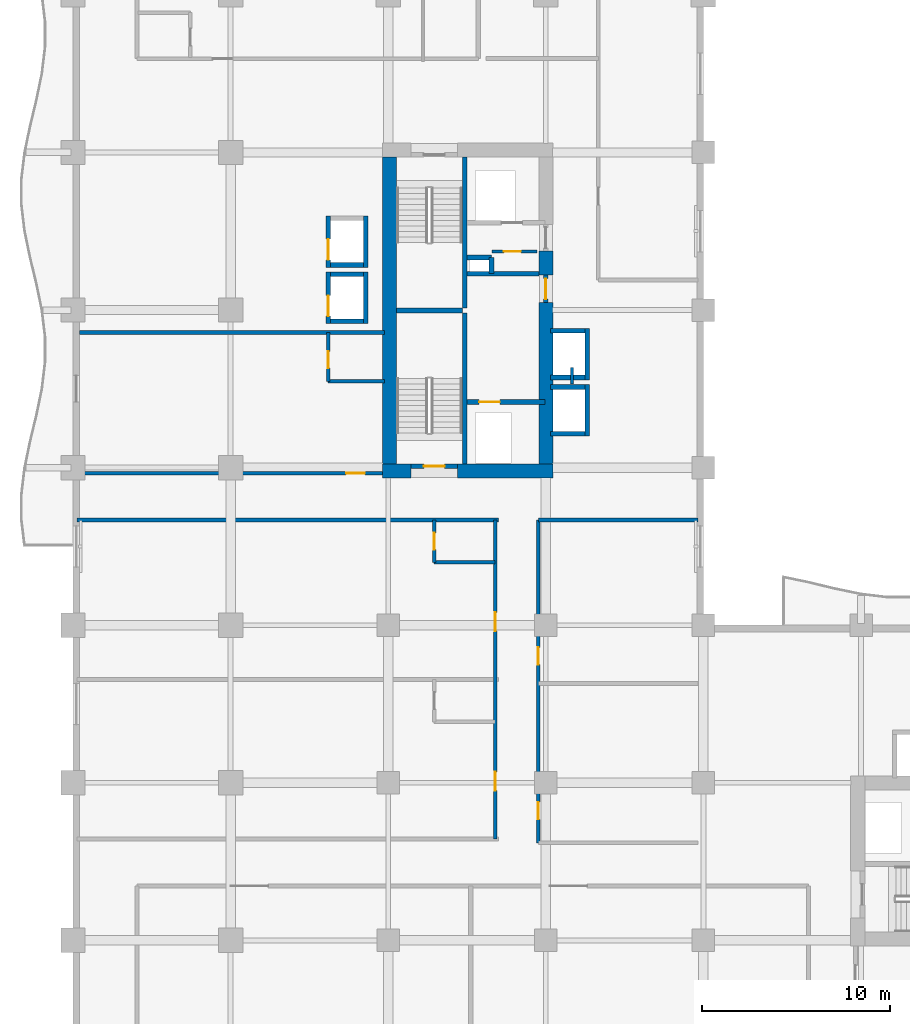
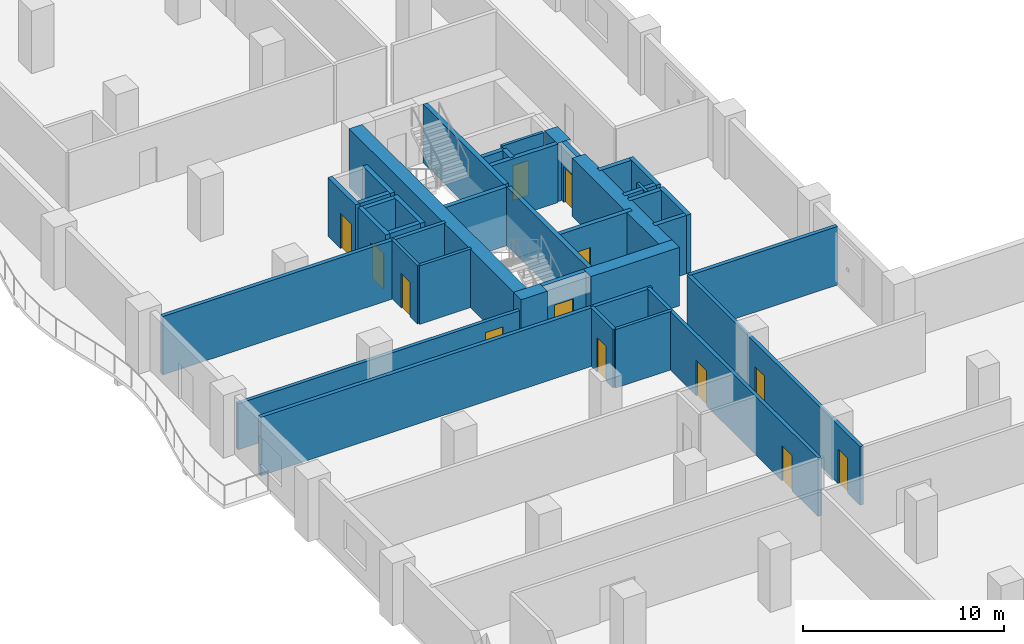
# One storey, part 6 of 15: 39 walls, 13 doors, 13 openings.
"""IFC4 building model written with IfcOpenShell, lengths in metres."""

from ifc_helpers import new_model, si_unit, direction, frame, frame_2d, origin, place, context, subcontext, project, spatial, rectangle, extrude, material, layer, layer_set, type_object, element, fill, save


model = new_model("IFC4")

# Units and contexts
model_context = context("Model", 3, precision=1e-05, world=origin(), true_north=direction((0.0, 1.0)))
body_context = subcontext(model_context, "Body", "Model", "MODEL_VIEW")
ifc_project = project(units=[si_unit("LENGTHUNIT", "METRE"), si_unit("AREAUNIT", "SQUARE_METRE"), si_unit("VOLUMEUNIT", "CUBIC_METRE"), si_unit("PLANEANGLEUNIT", "RADIAN"), si_unit("MASSUNIT", "GRAM", prefix="KILO")], contexts=[model_context])

# Site, building, storey
site_placement = place(None, origin())
site = spatial("IfcSite", under=ifc_project, at=site_placement, CompositionType="ELEMENT")
building_placement = place(site_placement, origin())
building = spatial("IfcBuilding", under=site, at=building_placement, Name="Koriwani Terraces Tower", CompositionType="ELEMENT")
storey_placement = place(building_placement, frame((0.0, 0.0, 138.0)))
storey = spatial("IfcBuildingStorey", under=building, at=storey_placement, Name="L33", CompositionType="ELEMENT", Elevation=138.0)

# Walls
ifc_material_1 = material(Name="Concrete C60/75", Category="concrete")
ifc_layer_1 = layer(ifc_material_1, 0.75, Name="Concrete C60/75")
ifc_layer_set_1 = layer_set([ifc_layer_1], Name="Concrete C60/75")
wall_type_1 = type_object("IfcWallType", Name="WALL_CORE_RC_750", PredefinedType="SHEAR", material=ifc_layer_set_1)
wall_1_placement = place(storey_placement, frame((16.5, 41.824951171875, 0.0), z_axis=(0.0, 0.0, 1.0), x_axis=(1.0, 0.0, 0.0)))
element("IfcWall", 1, at=wall_1_placement, inside=storey, type_object=wall_type_1, Name="L33 West Split Core Shear Wall S1", PredefinedType="SHEAR", context=body_context, shape_type="SweptSolid", body=[
    extrude(rectangle(XDim=1.5, YDim=0.75, at=frame_2d((0.75, 0.0))), origin(), (0.0, 0.0, 1.0), 3.550048828125),
])
wall_2_placement = place(storey_placement, frame((20.5, 41.824951171875, 0.0), z_axis=(0.0, 0.0, 1.0), x_axis=(1.0, 0.0, 0.0)))
element("IfcWall", 2, at=wall_2_placement, inside=storey, type_object=wall_type_1, Name="L33 West Split Core Shear Wall S2", PredefinedType="SHEAR", context=body_context, shape_type="SweptSolid", body=[
    extrude(rectangle(XDim=5.074951171875, YDim=0.75, at=frame_2d((2.53759765625, 0.0))), origin(), (0.0, 0.0, 1.0), 3.550048828125),
])
wall_3_placement = place(storey_placement, frame((16.875, 42.199951171875, 0.0), z_axis=(0.0, 0.0, 1.0), x_axis=(0.0, 1.0, 0.0)))
element("IfcWall", 3, at=wall_3_placement, inside=storey, type_object=wall_type_1, Name="L33 West Split Core Shear Wall W1", PredefinedType="SHEAR", context=body_context, shape_type="SweptSolid", body=[
    extrude(rectangle(XDim=16.35009765625, YDim=0.75, at=frame_2d((8.175048828125, 0.0))), origin(), (0.0, 0.0, 1.0), 3.550048828125),
])
wall_4_placement = place(storey_placement, frame((25.199951171875, 42.199951171875, 0.0), z_axis=(0.0, 0.0, 1.0), x_axis=(0.0, 1.0, 0.0)))
element("IfcWall", 4, at=wall_4_placement, inside=storey, type_object=wall_type_1, Name="L33 West Split Core Shear Wall E1", PredefinedType="SHEAR", context=body_context, shape_type="SweptSolid", body=[
    extrude(rectangle(XDim=8.60009765625, YDim=0.75, at=frame_2d((4.300048828125, 0.0))), origin(), (0.0, 0.0, 1.0), 3.550048828125),
])
wall_5_placement = place(storey_placement, frame((25.199951171875, 52.280029296875, 0.0), z_axis=(0.0, 0.0, 1.0), x_axis=(0.0, 1.0, 0.0)))
element("IfcWall", 5, at=wall_5_placement, inside=storey, type_object=wall_type_1, Name="L33 West Split Core Shear Wall E2", PredefinedType="SHEAR", context=body_context, shape_type="SweptSolid", body=[
    extrude(rectangle(XDim=1.27001953125, YDim=0.75, at=frame_2d((0.635009765625, 0.0))), origin(), (0.0, 0.0, 1.0), 3.550048828125),
])

# Wall, opening, door
ifc_material_2 = material(Name="Autoclaved Cellular Concrete Blockwork", Category="masonry")
ifc_layer_2 = layer(ifc_material_2, 0.199951171875, Name="Autoclaved Cellular Concrete Blockwork")
ifc_layer_set_2 = layer_set([ifc_layer_2], Name="Autoclaved Cellular Concrete Blockwork")
wall_type_2 = type_object("IfcWallType", Name="WALL_CORRIDOR_200", PredefinedType="PARTITIONING", material=ifc_layer_set_2)
wall_6_placement = place(storey_placement, frame((0.35009765625, 41.699951171875, 0.0), z_axis=(0.0, 0.0, 1.0), x_axis=(1.0, 0.0, 0.0)))
wall_6 = element("IfcWall", 6, at=wall_6_placement, inside=storey, type_object=wall_type_2, Name="L33 Interior Wall WREC-WS-L33", PredefinedType="PARTITIONING", context=body_context, shape_type="SweptSolid", body=[
    extrude(rectangle(XDim=16.25, YDim=0.199951171875, at=frame_2d((8.125, 0.0))), origin(), (0.0, 0.0, 1.0), 2.800048828125),
])
opening_1_placement = place(wall_6_placement, frame((14.199951171875, 0.0, 0.0)))
opening_1 = element("IfcOpeningElement", 7, at=opening_1_placement, cuts=wall_6, Name="Opening D-05", PredefinedType="OPENING", context=body_context, shape_type="SweptSolid", body=[
    extrude(rectangle(XDim=1.0, YDim=2.14990234375, at=frame_2d((0.5, 1.074951171875))), frame((0.0, 0.10986328125, 0.0), z_axis=(0.0, -1.0, 0.0), x_axis=(1.0, 0.0, 0.0)), (0.0, 0.0, 1.0), 0.219970703125),
])
ifc_material_3 = material(Name="Architectural Oak Fire Door", Category="wood")
door_type_1 = type_object("IfcDoorType", Name="DOOR_SUITE_ENTRY_1000X2150", OperationType="NOTDEFINED", PredefinedType="DOOR", material=ifc_material_3)
door_1_placement = place(opening_1_placement, origin())
door_1 = element("IfcDoor", 8, at=door_1_placement, inside=storey, type_object=door_type_1, Name="L33 Reclaimed West Suite Door", OperationType="SINGLE_SWING_LEFT", OverallHeight=2.14990234375, OverallWidth=1.0, PredefinedType="DOOR", context=body_context, shape_type="SweptSolid", body=[
    extrude(rectangle(XDim=1.0, YDim=2.14990234375, at=frame_2d((0.5, 1.074951171875))), frame((0.0, 0.02490234375, 0.0), z_axis=(0.0, -1.0, 0.0), x_axis=(1.0, 0.0, 0.0)), (0.0, 0.0, 1.0), 0.050048828125),
])
fill(opening_1, door_1)

# Wall, openings, doors
wall_7_placement = place(storey_placement, frame((24.800048828125, 22.0, 0.0), z_axis=(0.0, 0.0, 1.0), x_axis=(0.0, 1.0, 0.0)))
wall_7 = element("IfcWall", 9, at=wall_7_placement, inside=storey, type_object=wall_type_2, Name="L33 Interior Wall WIC2-W-L33", PredefinedType="PARTITIONING", context=body_context, shape_type="SweptSolid", body=[
    extrude(rectangle(XDim=17.199951171875, YDim=0.199951171875, at=frame_2d((8.60009765625, 0.0))), origin(), (0.0, 0.0, 1.0), 3.550048828125),
])
opening_2_placement = place(wall_7_placement, frame((1.25, 0.0, 0.0)))
opening_2 = element("IfcOpeningElement", 10, at=opening_2_placement, cuts=wall_7, Name="Opening D-06", PredefinedType="OPENING", context=body_context, shape_type="SweptSolid", body=[
    extrude(rectangle(XDim=0.919921875, YDim=2.10009765625, at=frame_2d((0.4599609375, 1.050048828125))), frame((0.0, 0.10986328125, 0.0), z_axis=(0.0, -1.0, 0.0), x_axis=(1.0, 0.0, 0.0)), (0.0, 0.0, 1.0), 0.219970703125),
])
opening_3_placement = place(wall_7_placement, frame((9.5, 0.0, 0.0)))
opening_3 = element("IfcOpeningElement", 11, at=opening_3_placement, cuts=wall_7, Name="Opening D-06", PredefinedType="OPENING", context=body_context, shape_type="SweptSolid", body=[
    extrude(rectangle(XDim=0.919921875, YDim=2.10009765625, at=frame_2d((0.4599609375, 1.050048828125))), frame((0.0, 0.10986328125, 0.0), z_axis=(0.0, -1.0, 0.0), x_axis=(1.0, 0.0, 0.0)), (0.0, 0.0, 1.0), 0.219970703125),
])
door_type_2 = type_object("IfcDoorType", Name="DOOR_ROOM_INT_920X2100", OperationType="NOTDEFINED", PredefinedType="DOOR", material=ifc_material_3)
door_2_placement = place(opening_2_placement, origin())
door_2 = element("IfcDoor", 12, at=door_2_placement, inside=storey, type_object=door_type_2, Name="L33 Inner Court Salon Door", OperationType="SINGLE_SWING_LEFT", OverallHeight=2.10009765625, OverallWidth=0.919921875, PredefinedType="DOOR", context=body_context, shape_type="SweptSolid", body=[
    extrude(rectangle(XDim=0.919921875, YDim=2.10009765625, at=frame_2d((0.4599609375, 1.050048828125))), frame((0.0, 0.02490234375, 0.0), z_axis=(0.0, -1.0, 0.0), x_axis=(1.0, 0.0, 0.0)), (0.0, 0.0, 1.0), 0.050048828125),
])
fill(opening_2, door_2)
door_3_placement = place(opening_3_placement, origin())
door_3 = element("IfcDoor", 13, at=door_3_placement, inside=storey, type_object=door_type_2, Name="L33 Inner Court Media Room Door", OperationType="SINGLE_SWING_RIGHT", OverallHeight=2.10009765625, OverallWidth=0.919921875, PredefinedType="DOOR", context=body_context, shape_type="SweptSolid", body=[
    extrude(rectangle(XDim=0.919921875, YDim=2.10009765625, at=frame_2d((0.4599609375, 1.050048828125))), frame((0.0, 0.02490234375, 0.0), z_axis=(0.0, -1.0, 0.0), x_axis=(1.0, 0.0, 0.0)), (0.0, 0.0, 1.0), 0.050048828125),
])
fill(opening_3, door_3)

wall_8_placement = place(storey_placement, frame((22.5, 22.199951171875, 0.0), z_axis=(0.0, 0.0, 1.0), x_axis=(0.0, 1.0, 0.0)))
wall_8 = element("IfcWall", 14, at=wall_8_placement, inside=storey, type_object=wall_type_2, Name="L33 Interior Wall WCOR-L33-NW-0", PredefinedType="PARTITIONING", context=body_context, shape_type="SweptSolid", body=[
    extrude(rectangle(XDim=17.0, YDim=0.199951171875, at=frame_2d((8.5, 0.0))), origin(), (0.0, 0.0, 1.0), 3.550048828125),
])
opening_4_placement = place(wall_8_placement, frame((2.5849609375, 0.0, 0.0)))
opening_4 = element("IfcOpeningElement", 15, at=opening_4_placement, cuts=wall_8, Name="Opening D-05", PredefinedType="OPENING", context=body_context, shape_type="SweptSolid", body=[
    extrude(rectangle(XDim=1.0, YDim=2.14990234375, at=frame_2d((0.5, 1.074951171875))), frame((0.0, 0.10986328125, 0.0), z_axis=(0.0, -1.0, 0.0), x_axis=(1.0, 0.0, 0.0)), (0.0, 0.0, 1.0), 0.219970703125),
])
opening_5_placement = place(wall_8_placement, frame((11.0849609375, 0.0, 0.0)))
opening_5 = element("IfcOpeningElement", 16, at=opening_5_placement, cuts=wall_8, Name="Opening D-05", PredefinedType="OPENING", context=body_context, shape_type="SweptSolid", body=[
    extrude(rectangle(XDim=1.0, YDim=2.14990234375, at=frame_2d((0.5, 1.074951171875))), frame((0.0, 0.10986328125, 0.0), z_axis=(0.0, -1.0, 0.0), x_axis=(1.0, 0.0, 0.0)), (0.0, 0.0, 1.0), 0.219970703125),
])
door_4_placement = place(opening_4_placement, origin())
door_4 = element("IfcDoor", 17, at=door_4_placement, inside=storey, type_object=door_type_1, Name="Luxury Hotel Suite 33NW1 Entrance Door", OperationType="SINGLE_SWING_LEFT", OverallHeight=2.14990234375, OverallWidth=1.0, PredefinedType="DOOR", context=body_context, shape_type="SweptSolid", body=[
    extrude(rectangle(XDim=1.0, YDim=2.14990234375, at=frame_2d((0.5, 1.074951171875))), frame((0.0, 0.02490234375, 0.0), z_axis=(0.0, -1.0, 0.0), x_axis=(1.0, 0.0, 0.0)), (0.0, 0.0, 1.0), 0.050048828125),
])
fill(opening_4, door_4)
door_5_placement = place(opening_5_placement, origin())
door_5 = element("IfcDoor", 18, at=door_5_placement, inside=storey, type_object=door_type_1, Name="Luxury Hotel Suite 33NW2 Entrance Door", OperationType="SINGLE_SWING_LEFT", OverallHeight=2.14990234375, OverallWidth=1.0, PredefinedType="DOOR", context=body_context, shape_type="SweptSolid", body=[
    extrude(rectangle(XDim=1.0, YDim=2.14990234375, at=frame_2d((0.5, 1.074951171875))), frame((0.0, 0.02490234375, 0.0), z_axis=(0.0, -1.0, 0.0), x_axis=(1.0, 0.0, 0.0)), (0.0, 0.0, 1.0), 0.050048828125),
])
fill(opening_5, door_5)

# Walls
ifc_layer_3 = layer(ifc_material_2, 0.219970703125, Name="Autoclaved Cellular Concrete Blockwork")
ifc_layer_set_3 = layer_set([ifc_layer_3], Name="Autoclaved Cellular Concrete Blockwork")
wall_type_3 = type_object("IfcWallType", Name="WALL_DEMISING_220", PredefinedType="PARTITIONING", material=ifc_layer_set_3)
wall_9_placement = place(storey_placement, frame((0.35009765625, 49.199951171875, 0.0), z_axis=(0.0, 0.0, 1.0), x_axis=(1.0, 0.0, 0.0)))
element("IfcWall", 19, at=wall_9_placement, inside=storey, type_object=wall_type_3, Name="L33 Interior Wall WREC-WN-L33", PredefinedType="PARTITIONING", context=body_context, shape_type="SweptSolid", body=[
    extrude(rectangle(XDim=16.25, YDim=0.219970703125, at=frame_2d((8.125, 0.0))), origin(), (0.0, 0.0, 1.0), 3.550048828125),
])
wall_10_placement = place(storey_placement, frame((24.800048828125, 39.199951171875, 0.0), z_axis=(0.0, 0.0, 1.0), x_axis=(1.0, 0.0, 0.0)))
element("IfcWall", 20, at=wall_10_placement, inside=storey, type_object=wall_type_3, Name="L33 Interior Wall WIC2-N-L33", PredefinedType="PARTITIONING", context=body_context, shape_type="SweptSolid", body=[
    extrude(rectangle(XDim=8.5, YDim=0.219970703125, at=frame_2d((4.25, 0.0))), origin(), (0.0, 0.0, 1.0), 3.550048828125),
])
wall_11_placement = place(storey_placement, frame((0.199951171875, 39.199951171875, 0.0), z_axis=(0.0, 0.0, 1.0), x_axis=(1.0, 0.0, 0.0)))
element("IfcWall", 21, at=wall_11_placement, inside=storey, type_object=wall_type_3, Name="L33 Interior Wall WDEME-L33-NW", PredefinedType="PARTITIONING", context=body_context, shape_type="SweptSolid", body=[
    extrude(rectangle(XDim=22.47998046875, YDim=0.219970703125, at=frame_2d((11.239990234375, 0.0))), origin(), (0.0, 0.0, 1.0), 3.550048828125),
])
ifc_material_4 = material(Name="Fire-Rated Acoustic Gypsum Partition", Category="masonry")
ifc_layer_4 = layer(ifc_material_4, 0.179931640625, Name="Fire-Rated Acoustic Gypsum Partition")
ifc_layer_set_4 = layer_set([ifc_layer_4], Name="Fire-Rated Acoustic Gypsum Partition")
wall_type_4 = type_object("IfcWallType", Name="WALL_PLUMBING_180", PredefinedType="PLUMBINGWALL", material=ifc_layer_set_4)
wall_12_placement = place(storey_placement, frame((13.60009765625, 46.60009765625, 0.0), z_axis=(0.0, 0.0, 1.0), x_axis=(1.0, 0.0, 0.0)))
element("IfcWall", 22, at=wall_12_placement, inside=storey, type_object=wall_type_4, Name="L33 Interior Wall WREC-WB1-L33", PredefinedType="PLUMBINGWALL", context=body_context, shape_type="SweptSolid", body=[
    extrude(rectangle(XDim=3.0, YDim=0.179931640625, at=frame_2d((1.5, 0.0))), origin(), (0.0, 0.0, 1.0), 3.550048828125),
])

# Wall, opening, door
wall_13_placement = place(storey_placement, frame((13.60009765625, 46.60009765625, 0.0), z_axis=(0.0, 0.0, 1.0), x_axis=(0.0, 1.0, 0.0)))
wall_13 = element("IfcWall", 23, at=wall_13_placement, inside=storey, type_object=wall_type_4, Name="L33 Interior Wall WREC-WB2-L33", PredefinedType="PLUMBINGWALL", context=body_context, shape_type="SweptSolid", body=[
    extrude(rectangle(XDim=2.599853515625, YDim=0.179931640625, at=frame_2d((1.2998046875, 0.0))), origin(), (0.0, 0.0, 1.0), 3.550048828125),
])
opening_6_placement = place(wall_13_placement, frame((0.699951171875, 0.0, 0.0)))
opening_6 = element("IfcOpeningElement", 24, at=opening_6_placement, cuts=wall_13, Name="Opening D-07", PredefinedType="OPENING", context=body_context, shape_type="SweptSolid", body=[
    extrude(rectangle(XDim=0.89990234375, YDim=2.10009765625, at=frame_2d((0.449951171875, 1.050048828125))), frame((0.0, 0.10009765625, 0.0), z_axis=(0.0, -1.0, 0.0), x_axis=(1.0, 0.0, 0.0)), (0.0, 0.0, 1.0), 0.199951171875),
])
door_type_3 = type_object("IfcDoorType", Name="DOOR_BATH_INT_900X2100", OperationType="NOTDEFINED", PredefinedType="DOOR", material=ifc_material_3)
door_6_placement = place(opening_6_placement, origin())
door_6 = element("IfcDoor", 25, at=door_6_placement, inside=storey, type_object=door_type_3, Name="L33 Reclaimed Suite En-Suite Door", OperationType="SINGLE_SWING_RIGHT", OverallHeight=2.10009765625, OverallWidth=0.89990234375, PredefinedType="DOOR", context=body_context, shape_type="SweptSolid", body=[
    extrude(rectangle(XDim=0.89990234375, YDim=2.10009765625, at=frame_2d((0.449951171875, 1.050048828125))), frame((0.0, 0.02490234375, 0.0), z_axis=(0.0, -1.0, 0.0), x_axis=(1.0, 0.0, 0.0)), (0.0, 0.0, 1.0), 0.050048828125),
])
fill(opening_6, door_6)

wall_14_placement = place(storey_placement, frame((19.25, 36.949951171875, 0.0), z_axis=(0.0, 0.0, 1.0), x_axis=(0.0, 1.0, 0.0)))
wall_14 = element("IfcWall", 26, at=wall_14_placement, inside=storey, type_object=wall_type_4, Name="L33 Interior Wall WBTH1-L33-NW-1", PredefinedType="PLUMBINGWALL", context=body_context, shape_type="SweptSolid", body=[
    extrude(rectangle(XDim=2.25, YDim=0.179931640625, at=frame_2d((1.125, 0.0))), origin(), (0.0, 0.0, 1.0), 3.550048828125),
])
opening_7_placement = place(wall_14_placement, frame((0.675048828125, 0.0, 0.0)))
opening_7 = element("IfcOpeningElement", 27, at=opening_7_placement, cuts=wall_14, Name="Opening D-07", PredefinedType="OPENING", context=body_context, shape_type="SweptSolid", body=[
    extrude(rectangle(XDim=0.89990234375, YDim=2.10009765625, at=frame_2d((0.449951171875, 1.050048828125))), frame((0.0, 0.10009765625, 0.0), z_axis=(0.0, -1.0, 0.0), x_axis=(1.0, 0.0, 0.0)), (0.0, 0.0, 1.0), 0.199951171875),
])
door_7_placement = place(opening_7_placement, origin())
door_7 = element("IfcDoor", 28, at=door_7_placement, inside=storey, type_object=door_type_3, Name="En-Suite Bathroom 33NW2 Door", OperationType="SINGLE_SWING_RIGHT", OverallHeight=2.10009765625, OverallWidth=0.89990234375, PredefinedType="DOOR", context=body_context, shape_type="SweptSolid", body=[
    extrude(rectangle(XDim=0.89990234375, YDim=2.10009765625, at=frame_2d((0.449951171875, 1.050048828125))), frame((0.0, 0.02490234375, 0.0), z_axis=(0.0, -1.0, 0.0), x_axis=(1.0, 0.0, 0.0)), (0.0, 0.0, 1.0), 0.050048828125),
])
fill(opening_7, door_7)

# Walls
wall_15_placement = place(storey_placement, frame((19.25, 36.949951171875, 0.0), z_axis=(0.0, 0.0, 1.0), x_axis=(1.0, 0.0, 0.0)))
element("IfcWall", 29, at=wall_15_placement, inside=storey, type_object=wall_type_4, Name="L33 Interior Wall WBTH2-L33-NW-1", PredefinedType="PLUMBINGWALL", context=body_context, shape_type="SweptSolid", body=[
    extrude(rectangle(XDim=3.25, YDim=0.179931640625, at=frame_2d((1.625, 0.0))), origin(), (0.0, 0.0, 1.0), 3.550048828125),
])
ifc_material_5 = material(Name="Concrete C40/50", Category="concrete")
ifc_layer_5 = layer(ifc_material_5, 0.25, Name="Concrete C40/50")
ifc_layer_set_5 = layer_set([ifc_layer_5], Name="Concrete C40/50")
wall_type_5 = type_object("IfcWallType", Name="WALL_SHAFT_RATED_250", PredefinedType="SOLIDWALL", material=ifc_layer_set_5)
for number, where, z_axis, x_axis, name in (
    (30, (20.875, 42.199951171875, 0.0), (0.0, 0.0, 1.0), (0.0, 1.0, 0.0), "L33 West Split Core Web Wall MID1"),
    (31, (20.875, 50.5, 0.0), (0.0, 0.0, 1.0), (0.0, 1.0, 0.0), "L33 West Split Core Web Wall MID2"),
):
    element("IfcWall", number, at=place(storey_placement, frame(where, z_axis=z_axis, x_axis=x_axis)), inside=storey, type_object=wall_type_5, Name=name, PredefinedType="SOLIDWALL", context=body_context, shape_type="SweptSolid", body=[
        extrude(rectangle(XDim=8.050048828125, YDim=0.25, at=frame_2d((4.02490234375, 0.0))), origin(), (0.0, 0.0, 1.0), 3.550048828125),
    ])
wall_16_placement = place(storey_placement, frame((17.25, 50.375, 0.0), z_axis=(0.0, 0.0, 1.0), x_axis=(1.0, 0.0, 0.0)))
element("IfcWall", 32, at=wall_16_placement, inside=storey, type_object=wall_type_5, Name="L33 West Split Core Stair Dividing Wall", PredefinedType="SOLIDWALL", context=body_context, shape_type="SweptSolid", body=[
    extrude(rectangle(XDim=3.5, YDim=0.25, at=frame_2d((1.75, 0.0))), origin(), (0.0, 0.0, 1.0), 3.550048828125),
])

# Wall, opening, door
wall_17_placement = place(storey_placement, frame((18.0, 42.074951171875, 0.0), z_axis=(0.0, 0.0, 1.0), x_axis=(1.0, 0.0, 0.0)))
wall_17 = element("IfcWall", 33, at=wall_17_placement, inside=storey, type_object=wall_type_5, Name="L33 Interior Wall WIN-CW-L33-STS", PredefinedType="SOLIDWALL", context=body_context, shape_type="SweptSolid", body=[
    extrude(rectangle(XDim=2.5, YDim=0.25, at=frame_2d((1.25, 0.0))), origin(), (0.0, 0.0, 1.0), 3.550048828125),
])
opening_8_placement = place(wall_17_placement, frame((0.699951171875, 0.0, 0.0)))
opening_8 = element("IfcOpeningElement", 34, at=opening_8_placement, cuts=wall_17, Name="Opening D-03", PredefinedType="OPENING", context=body_context, shape_type="SweptSolid", body=[
    extrude(rectangle(XDim=1.10009765625, YDim=2.14990234375, at=frame_2d((0.550048828125, 1.074951171875))), frame((0.0, 0.135009765625, 0.0), z_axis=(0.0, -1.0, 0.0), x_axis=(1.0, 0.0, 0.0)), (0.0, 0.0, 1.0), 0.27001953125),
])
ifc_material_6 = material(Name="Steel ASTM A572 Grade 50", Category="steel")
door_type_4 = type_object("IfcDoorType", Name="DOOR_STAIR_FIRE_1100X2150", OperationType="NOTDEFINED", PredefinedType="DOOR", material=ifc_material_6)
door_8_placement = place(opening_8_placement, origin())
door_8 = element("IfcDoor", 35, at=door_8_placement, inside=storey, type_object=door_type_4, Name="L33 Exit Stair ST-W1 Door", OperationType="SINGLE_SWING_LEFT", OverallHeight=2.14990234375, OverallWidth=1.10009765625, PredefinedType="DOOR", context=body_context, shape_type="SweptSolid", body=[
    extrude(rectangle(XDim=1.10009765625, YDim=2.14990234375, at=frame_2d((0.550048828125, 1.074951171875))), frame((0.0, 0.02490234375, 0.0), z_axis=(0.0, -1.0, 0.0), x_axis=(1.0, 0.0, 0.0)), (0.0, 0.0, 1.0), 0.050048828125),
])
fill(opening_8, door_8)

wall_18_placement = place(storey_placement, frame((21.0, 45.5, 0.0), z_axis=(0.0, 0.0, 1.0), x_axis=(1.0, 0.0, 0.0)))
wall_18 = element("IfcWall", 36, at=wall_18_placement, inside=storey, type_object=wall_type_5, Name="L33 Interior Wall WIN-CW-L33-FE", PredefinedType="SOLIDWALL", context=body_context, shape_type="SweptSolid", body=[
    extrude(rectangle(XDim=4.14990234375, YDim=0.25, at=frame_2d((2.074951171875, 0.0))), origin(), (0.0, 0.0, 1.0), 3.550048828125),
])
opening_9_placement = place(wall_18_placement, frame((0.64990234375, 0.0, 0.0)))
opening_9 = element("IfcOpeningElement", 37, at=opening_9_placement, cuts=wall_18, Name="Opening LD-01", PredefinedType="OPENING", context=body_context, shape_type="SweptSolid", body=[
    extrude(rectangle(XDim=1.10009765625, YDim=2.14990234375, at=frame_2d((0.550048828125, 1.074951171875))), frame((0.0, 0.135009765625, 0.0), z_axis=(0.0, -1.0, 0.0), x_axis=(1.0, 0.0, 0.0)), (0.0, 0.0, 1.0), 0.27001953125),
])
door_type_5 = type_object("IfcDoorType", Name="DOOR_LIFT_LANDING_1100X2200", OperationType="NOTDEFINED", PredefinedType="DOOR", material=ifc_material_6)
door_9_placement = place(opening_9_placement, origin())
door_9 = element("IfcDoor", 38, at=door_9_placement, inside=storey, type_object=door_type_5, Name="L33 Firefighting Lift FE-01 Landing Door", OperationType="SLIDING_TO_LEFT", OverallHeight=2.14990234375, OverallWidth=1.10009765625, PredefinedType="DOOR", context=body_context, shape_type="SweptSolid", body=[
    extrude(rectangle(XDim=1.10009765625, YDim=2.14990234375, at=frame_2d((0.550048828125, 1.074951171875))), frame((0.0, 0.02490234375, 0.0), z_axis=(0.0, -1.0, 0.0), x_axis=(1.0, 0.0, 0.0)), (0.0, 0.0, 1.0), 0.050048828125),
])
fill(opening_9, door_9)

wall_19_placement = place(storey_placement, frame((25.199951171875, 50.800048828125, 0.0), z_axis=(0.0, 0.0, 1.0), x_axis=(0.0, 1.0, 0.0)))
wall_19 = element("IfcWall", 39, at=wall_19_placement, inside=storey, type_object=wall_type_5, Name="L33 Interior Wall WIN-CW-L33-EP", PredefinedType="SOLIDWALL", context=body_context, shape_type="SweptSolid", body=[
    extrude(rectangle(XDim=1.47998046875, YDim=0.25, at=frame_2d((0.739990234375, 0.0))), origin(), (0.0, 0.0, 1.0), 3.550048828125),
])
opening_10_placement = place(wall_19_placement, frame((0.179931640625, 0.0, 0.0)))
opening_10 = element("IfcOpeningElement", 40, at=opening_10_placement, cuts=wall_19, Name="Opening D-03", PredefinedType="OPENING", context=body_context, shape_type="SweptSolid", body=[
    extrude(rectangle(XDim=1.10009765625, YDim=2.14990234375, at=frame_2d((0.550048828125, 1.074951171875))), frame((0.0, 0.135009765625, 0.0), z_axis=(0.0, -1.0, 0.0), x_axis=(1.0, 0.0, 0.0)), (0.0, 0.0, 1.0), 0.27001953125),
])
door_10_placement = place(opening_10_placement, origin())
door_10 = element("IfcDoor", 41, at=door_10_placement, inside=storey, type_object=door_type_4, Name="L33 West Firefighting Lobby Door", OperationType="SINGLE_SWING_LEFT", OverallHeight=2.14990234375, OverallWidth=1.10009765625, PredefinedType="DOOR", context=body_context, shape_type="SweptSolid", body=[
    extrude(rectangle(XDim=1.10009765625, YDim=2.14990234375, at=frame_2d((0.550048828125, 1.074951171875))), frame((0.0, 0.02490234375, 0.0), z_axis=(0.0, -1.0, 0.0), x_axis=(1.0, 0.0, 0.0)), (0.0, 0.0, 1.0), 0.050048828125),
])
fill(opening_10, door_10)

# Walls
wall_20_placement = place(storey_placement, frame((21.0, 52.340087890625, 0.0), z_axis=(0.0, 0.0, 1.0), x_axis=(1.0, 0.0, 0.0)))
element("IfcWall", 42, at=wall_20_placement, inside=storey, type_object=wall_type_5, Name="L33 Interior Wall WIN-CW-L33-FFN", PredefinedType="SOLIDWALL", context=body_context, shape_type="SweptSolid", body=[
    extrude(rectangle(XDim=3.824951171875, YDim=0.25, at=frame_2d((1.91259765625, 0.0))), origin(), (0.0, 0.0, 1.0), 3.550048828125),
])
wall_21_placement = place(storey_placement, frame((21.0, 53.199951171875, 0.0), z_axis=(0.0, 0.0, 1.0), x_axis=(1.0, 0.0, 0.0)))
element("IfcWall", 43, at=wall_21_placement, inside=storey, type_object=wall_type_5, Name="L33 Interior Wall WIN-CW-L33-RS1", PredefinedType="SOLIDWALL", context=body_context, shape_type="SweptSolid", body=[
    extrude(rectangle(XDim=1.300048828125, YDim=0.25, at=frame_2d((0.64990234375, 0.0))), origin(), (0.0, 0.0, 1.0), 3.550048828125),
])
wall_22_placement = place(storey_placement, frame((22.300048828125, 52.360107421875, 0.0), z_axis=(0.0, 0.0, 1.0), x_axis=(0.0, 1.0, 0.0)))
element("IfcWall", 44, at=wall_22_placement, inside=storey, type_object=wall_type_5, Name="L33 Interior Wall WIN-CW-L33-RS2", PredefinedType="SOLIDWALL", context=body_context, shape_type="SweptSolid", body=[
    extrude(rectangle(XDim=0.83984375, YDim=0.25, at=frame_2d((0.419921875, 0.0))), origin(), (0.0, 0.0, 1.0), 3.550048828125),
])

# Wall, opening, door
wall_23_placement = place(storey_placement, frame((13.60009765625, 49.675048828125, 0.0), z_axis=(0.0, 0.0, 1.0), x_axis=(0.0, 1.0, 0.0)))
wall_23 = element("IfcWall", 45, at=wall_23_placement, inside=storey, type_object=wall_type_5, Name="L33 Interior Wall WIN-LF-PE-M1-L33-F", PredefinedType="SOLIDWALL", context=body_context, shape_type="SweptSolid", body=[
    extrude(rectangle(XDim=2.75, YDim=0.25, at=frame_2d((1.375, 0.0))), origin(), (0.0, 0.0, 1.0), 3.550048828125),
])
opening_11_placement = place(wall_23_placement, frame((0.39990234375, 0.0, 0.0)))
opening_11 = element("IfcOpeningElement", 46, at=opening_11_placement, cuts=wall_23, Name="Opening LD-01", PredefinedType="OPENING", context=body_context, shape_type="SweptSolid", body=[
    extrude(rectangle(XDim=1.10009765625, YDim=2.14990234375, at=frame_2d((0.550048828125, 1.074951171875))), frame((0.0, 0.135009765625, 0.0), z_axis=(0.0, -1.0, 0.0), x_axis=(1.0, 0.0, 0.0)), (0.0, 0.0, 1.0), 0.27001953125),
])
door_11_placement = place(opening_11_placement, origin())
door_11 = element("IfcDoor", 47, at=door_11_placement, inside=storey, type_object=door_type_5, Name="L33 Passenger Lift PE-M1 Landing Door", OperationType="SLIDING_TO_LEFT", OverallHeight=2.14990234375, OverallWidth=1.10009765625, PredefinedType="DOOR", context=body_context, shape_type="SweptSolid", body=[
    extrude(rectangle(XDim=1.10009765625, YDim=2.14990234375, at=frame_2d((0.550048828125, 1.074951171875))), frame((0.0, 0.02490234375, 0.0), z_axis=(0.0, -1.0, 0.0), x_axis=(1.0, 0.0, 0.0)), (0.0, 0.0, 1.0), 0.050048828125),
])
fill(opening_11, door_11)

# Walls
wall_24_placement = place(storey_placement, frame((15.60009765625, 49.675048828125, 0.0), z_axis=(0.0, 0.0, 1.0), x_axis=(0.0, 1.0, 0.0)))
element("IfcWall", 48, at=wall_24_placement, inside=storey, type_object=wall_type_5, Name="L33 Interior Wall WIN-LF-PE-M1-L33-B", PredefinedType="SOLIDWALL", context=body_context, shape_type="SweptSolid", body=[
    extrude(rectangle(XDim=2.75, YDim=0.25, at=frame_2d((1.375, 0.0))), origin(), (0.0, 0.0, 1.0), 3.550048828125),
])
for number, where, z_axis, x_axis, name in (
    (49, (13.72509765625, 49.800048828125, 0.0), (0.0, 0.0, 1.0), (1.0, 0.0, 0.0), "L33 Interior Wall WIN-LF-PE-M1-L33-S"),
    (50, (13.72509765625, 52.300048828125, 0.0), (0.0, 0.0, 1.0), (1.0, 0.0, 0.0), "L33 Interior Wall WIN-LF-PE-M1-L33-N"),
):
    element("IfcWall", number, at=place(storey_placement, frame(where, z_axis=z_axis, x_axis=x_axis)), inside=storey, type_object=wall_type_5, Name=name, PredefinedType="SOLIDWALL", context=body_context, shape_type="SweptSolid", body=[
        extrude(rectangle(XDim=1.75, YDim=0.25, at=frame_2d((0.875, 0.0))), origin(), (0.0, 0.0, 1.0), 3.550048828125),
    ])

# Wall, opening, door
wall_25_placement = place(storey_placement, frame((13.60009765625, 52.675048828125, 0.0), z_axis=(0.0, 0.0, 1.0), x_axis=(0.0, 1.0, 0.0)))
wall_25 = element("IfcWall", 51, at=wall_25_placement, inside=storey, type_object=wall_type_5, Name="L33 Interior Wall WIN-LF-PE-M2-L33-F", PredefinedType="SOLIDWALL", context=body_context, shape_type="SweptSolid", body=[
    extrude(rectangle(XDim=2.75, YDim=0.25, at=frame_2d((1.375, 0.0))), origin(), (0.0, 0.0, 1.0), 3.550048828125),
])
opening_12_placement = place(wall_25_placement, frame((0.39990234375, 0.0, 0.0)))
opening_12 = element("IfcOpeningElement", 52, at=opening_12_placement, cuts=wall_25, Name="Opening LD-01", PredefinedType="OPENING", context=body_context, shape_type="SweptSolid", body=[
    extrude(rectangle(XDim=1.10009765625, YDim=2.14990234375, at=frame_2d((0.550048828125, 1.074951171875))), frame((0.0, 0.135009765625, 0.0), z_axis=(0.0, -1.0, 0.0), x_axis=(1.0, 0.0, 0.0)), (0.0, 0.0, 1.0), 0.27001953125),
])
door_12_placement = place(opening_12_placement, origin())
door_12 = element("IfcDoor", 53, at=door_12_placement, inside=storey, type_object=door_type_5, Name="L33 Passenger Lift PE-M2 Landing Door", OperationType="SLIDING_TO_LEFT", OverallHeight=2.14990234375, OverallWidth=1.10009765625, PredefinedType="DOOR", context=body_context, shape_type="SweptSolid", body=[
    extrude(rectangle(XDim=1.10009765625, YDim=2.14990234375, at=frame_2d((0.550048828125, 1.074951171875))), frame((0.0, 0.02490234375, 0.0), z_axis=(0.0, -1.0, 0.0), x_axis=(1.0, 0.0, 0.0)), (0.0, 0.0, 1.0), 0.050048828125),
])
fill(opening_12, door_12)

# Walls
wall_26_placement = place(storey_placement, frame((15.60009765625, 52.675048828125, 0.0), z_axis=(0.0, 0.0, 1.0), x_axis=(0.0, 1.0, 0.0)))
element("IfcWall", 54, at=wall_26_placement, inside=storey, type_object=wall_type_5, Name="L33 Interior Wall WIN-LF-PE-M2-L33-B", PredefinedType="SOLIDWALL", context=body_context, shape_type="SweptSolid", body=[
    extrude(rectangle(XDim=2.75, YDim=0.25, at=frame_2d((1.375, 0.0))), origin(), (0.0, 0.0, 1.0), 3.550048828125),
])
wall_27_placement = place(storey_placement, frame((13.72509765625, 52.800048828125, 0.0), z_axis=(0.0, 0.0, 1.0), x_axis=(1.0, 0.0, 0.0)))
element("IfcWall", 55, at=wall_27_placement, inside=storey, type_object=wall_type_5, Name="L33 Interior Wall WIN-LF-PE-M2-L33-S", PredefinedType="SOLIDWALL", context=body_context, shape_type="SweptSolid", body=[
    extrude(rectangle(XDim=1.75, YDim=0.25, at=frame_2d((0.875, 0.0))), origin(), (0.0, 0.0, 1.0), 3.550048828125),
])
wall_28_placement = place(storey_placement, frame((27.39990234375, 43.675048828125, 0.0), z_axis=(0.0, 0.0, 1.0), x_axis=(0.0, 1.0, 0.0)))
element("IfcWall", 56, at=wall_28_placement, inside=storey, type_object=wall_type_5, Name="L33 Interior Wall WIN-LF-PE-H1-L33-F", PredefinedType="SOLIDWALL", context=body_context, shape_type="SweptSolid", body=[
    extrude(rectangle(XDim=2.75, YDim=0.25, at=frame_2d((1.375, 0.0))), origin(), (0.0, 0.0, 1.0), 3.550048828125),
])
for number, where, z_axis, x_axis, name in (
    (57, (25.449951171875, 43.800048828125, 0.0), (0.0, 0.0, 1.0), (1.0, 0.0, 0.0), "L33 Interior Wall WIN-LF-PE-H1-L33-S"),
    (58, (25.449951171875, 46.300048828125, 0.0), (0.0, 0.0, 1.0), (1.0, 0.0, 0.0), "L33 Interior Wall WIN-LF-PE-H1-L33-N"),
):
    element("IfcWall", number, at=place(storey_placement, frame(where, z_axis=z_axis, x_axis=x_axis)), inside=storey, type_object=wall_type_5, Name=name, PredefinedType="SOLIDWALL", context=body_context, shape_type="SweptSolid", body=[
        extrude(rectangle(XDim=1.824951171875, YDim=0.25, at=frame_2d((0.91259765625, 0.0))), origin(), (0.0, 0.0, 1.0), 3.550048828125),
    ])
wall_29_placement = place(storey_placement, frame((27.39990234375, 46.675048828125, 0.0), z_axis=(0.0, 0.0, 1.0), x_axis=(0.0, 1.0, 0.0)))
element("IfcWall", 59, at=wall_29_placement, inside=storey, type_object=wall_type_5, Name="L33 Interior Wall WIN-LF-PE-H2-L33-F", PredefinedType="SOLIDWALL", context=body_context, shape_type="SweptSolid", body=[
    extrude(rectangle(XDim=2.75, YDim=0.25, at=frame_2d((1.375, 0.0))), origin(), (0.0, 0.0, 1.0), 3.550048828125),
])
for number, where, z_axis, x_axis, name in (
    (60, (25.449951171875, 46.800048828125, 0.0), (0.0, 0.0, 1.0), (1.0, 0.0, 0.0), "L33 Interior Wall WIN-LF-PE-H2-L33-S"),
    (61, (25.449951171875, 49.300048828125, 0.0), (0.0, 0.0, 1.0), (1.0, 0.0, 0.0), "L33 Interior Wall WIN-LF-PE-H2-L33-N"),
):
    element("IfcWall", number, at=place(storey_placement, frame(where, z_axis=z_axis, x_axis=x_axis)), inside=storey, type_object=wall_type_5, Name=name, PredefinedType="SOLIDWALL", context=body_context, shape_type="SweptSolid", body=[
        extrude(rectangle(XDim=1.824951171875, YDim=0.25, at=frame_2d((0.91259765625, 0.0))), origin(), (0.0, 0.0, 1.0), 3.550048828125),
    ])

# Wall, opening, door
ifc_layer_6 = layer(ifc_material_4, 0.159912109375, Name="Fire-Rated Acoustic Gypsum Partition")
ifc_layer_set_6 = layer_set([ifc_layer_6], Name="Fire-Rated Acoustic Gypsum Partition")
wall_type_6 = type_object("IfcWallType", Name="WALL_SUITE_160", PredefinedType="PARTITIONING", material=ifc_layer_set_6)
wall_30_placement = place(storey_placement, frame((22.320068359375, 53.52001953125, 0.0), z_axis=(0.0, 0.0, 1.0), x_axis=(1.0, 0.0, 0.0)))
wall_30 = element("IfcWall", 62, at=wall_30_placement, inside=storey, type_object=wall_type_6, Name="L33 Interior Wall WIN-CW-L33-SV0", PredefinedType="PARTITIONING", context=body_context, shape_type="SweptSolid", body=[
    extrude(rectangle(XDim=2.39990234375, YDim=0.159912109375, at=frame_2d((1.199951171875, 0.0))), origin(), (0.0, 0.0, 1.0), 3.550048828125),
])
opening_13_placement = place(wall_30_placement, frame((0.64990234375, 0.0, 0.0)))
opening_13 = element("IfcOpeningElement", 63, at=opening_13_placement, cuts=wall_30, Name="Opening D-07", PredefinedType="OPENING", context=body_context, shape_type="SweptSolid", body=[
    extrude(rectangle(XDim=0.89990234375, YDim=2.10009765625, at=frame_2d((0.449951171875, 1.050048828125))), frame((0.0, 0.08984375, 0.0), z_axis=(0.0, -1.0, 0.0), x_axis=(1.0, 0.0, 0.0)), (0.0, 0.0, 1.0), 0.179931640625),
])
door_13_placement = place(opening_13_placement, origin())
door_13 = element("IfcDoor", 64, at=door_13_placement, inside=storey, type_object=door_type_3, Name="L33 West Electrical Switch Room Door", OperationType="SINGLE_SWING_LEFT", OverallHeight=2.10009765625, OverallWidth=0.89990234375, PredefinedType="DOOR", context=body_context, shape_type="SweptSolid", body=[
    extrude(rectangle(XDim=0.89990234375, YDim=2.10009765625, at=frame_2d((0.449951171875, 1.050048828125))), frame((0.0, 0.02490234375, 0.0), z_axis=(0.0, -1.0, 0.0), x_axis=(1.0, 0.0, 0.0)), (0.0, 0.0, 1.0), 0.050048828125),
])
fill(opening_13, door_13)

# Wall
wall_31_placement = place(storey_placement, frame((26.60009765625, 46.4599609375, 0.0), z_axis=(0.0, 0.0, 1.0), x_axis=(0.0, 1.0, 0.0)))
element("IfcWall", 65, at=wall_31_placement, inside=storey, type_object=wall_type_6, Name="L33 Interior Wall WIN-LF-PEH12-MID-L33", PredefinedType="PARTITIONING", context=body_context, shape_type="SweptSolid", body=[
    extrude(rectangle(XDim=0.880126953125, YDim=0.159912109375, at=frame_2d((0.43994140625, 0.0))), origin(), (0.0, 0.0, 1.0), 3.550048828125),
])

save(model, "model.ifc")
